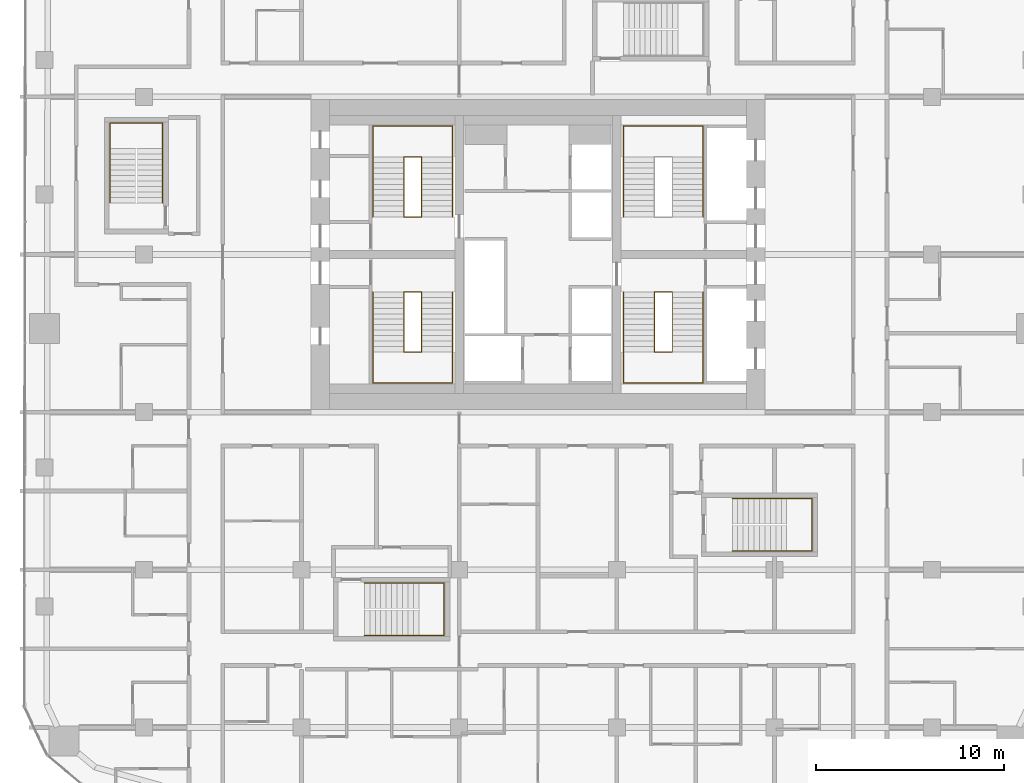
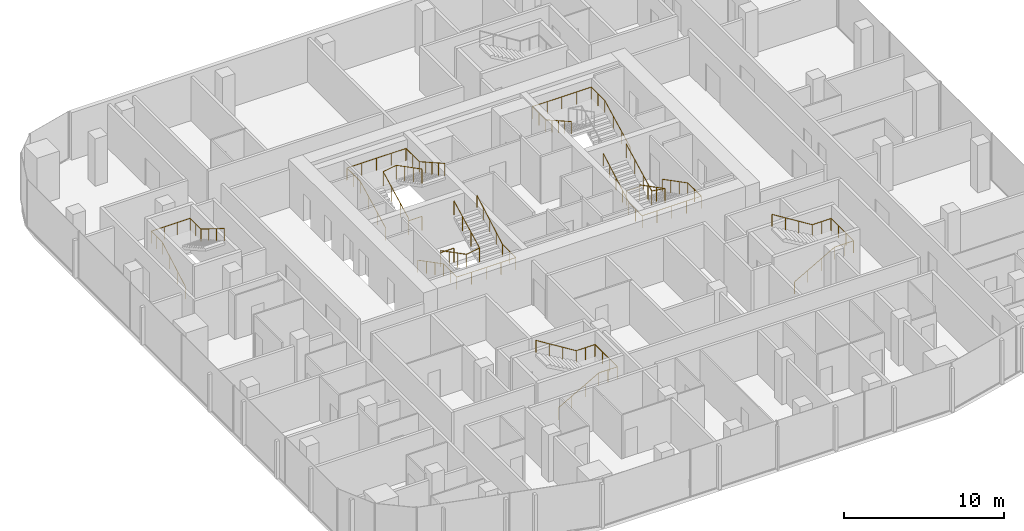
# One storey, part 22 of 23: 10 railings.
"""IFC4 building model written with IfcOpenShell, lengths in metres."""

from ifc_helpers import new_model, si_unit, direction, frame, origin, origin_2d, place, context, subcontext, project, spatial, circle, extrude, material, type_object, element, save


model = new_model("IFC4")

# Units and contexts
model_context = context("Model", 3, precision=1e-05, world=origin(), true_north=direction((0.0, 1.0)))
body_context = subcontext(model_context, "Body", "Model", "MODEL_VIEW")
ifc_project = project(units=[si_unit("LENGTHUNIT", "METRE"), si_unit("AREAUNIT", "SQUARE_METRE"), si_unit("VOLUMEUNIT", "CUBIC_METRE"), si_unit("PLANEANGLEUNIT", "RADIAN"), si_unit("MASSUNIT", "GRAM", prefix="KILO")], contexts=[model_context])

# Site, building, storey
site_placement = place(None, origin())
site = spatial("IfcSite", under=ifc_project, at=site_placement, CompositionType="ELEMENT")
building_placement = place(site_placement, origin())
building = spatial("IfcBuilding", under=site, at=building_placement, Name="Marenta Gate Hotel Tower", CompositionType="ELEMENT")
storey_placement = place(building_placement, frame((0.0, 0.0, 148.10009765625)))
storey = spatial("IfcBuildingStorey", under=building, at=storey_placement, Name="L34", CompositionType="ELEMENT", Elevation=148.10009765625)

# Railings
ifc_material_1 = material(Name="Stainless steel", Category="steel")
railing_type_1 = type_object("IfcRailingType", Name="Core stair handrail 950", PredefinedType="HANDRAIL", material=ifc_material_1)
railing_1_placement = place(storey_placement, frame((-8.800048828125, 6.39990234375, 0.14990234375)))
element("IfcRailing", 1, at=railing_1_placement, inside=storey, type_object=railing_type_1, Name="HR-950 L34-KR-ST1-1", PredefinedType="HANDRAIL", context=body_context, shape_type="SweptSolid", body=[
    extrude(circle(Radius=0.02392578125, at=origin_2d()), frame((0.0, 0.0, 0.92578125), z_axis=(0.0, -0.888225295554, 0.459408123936), x_axis=(1.0, 0.0, 0.0)), (0.0, 0.0, 1.0), 3.59130859375),
    extrude(circle(Radius=0.02392578125, at=origin_2d()), frame((0.0, -3.18994140625, 2.57568359375), z_axis=(0.0, -1.0, 0.0), x_axis=(1.0, 0.0, 0.0)), (0.0, 0.0, 1.0), 1.659912109375),
    extrude(circle(Radius=0.02392578125, at=origin_2d()), frame((0.0, -4.849853515625, 2.57568359375), z_axis=(1.0, 0.0, 0.0), x_axis=(0.0, 1.0, 0.0)), (0.0, 0.0, 1.0), 4.25),
    extrude(circle(Radius=0.02392578125, at=origin_2d()), frame((4.25, -4.849853515625, 2.57568359375), z_axis=(0.0, 1.0, 0.0), x_axis=(-1.0, 0.0, 0.0)), (0.0, 0.0, 1.0), 1.659912109375),
    extrude(circle(Radius=0.02392578125, at=origin_2d()), frame((4.25, -3.18994140625, 2.57568359375), z_axis=(0.0, 0.87090897868, 0.491444351738), x_axis=(-1.0, 0.0, 0.0)), (0.0, 0.0, 1.0), 3.662841796875),
    extrude(circle(Radius=0.02099609375, at=origin_2d()), origin(), (0.0, 0.0, 1.0), 0.90185546875),
    extrude(circle(Radius=0.02099609375, at=origin_2d()), frame((0.0, -1.063232421875, 0.550048828125)), (0.0, 0.0, 1.0), 0.90185546875),
    extrude(circle(Radius=0.02099609375, at=origin_2d()), frame((0.0, -2.126708984375, 1.099853515625)), (0.0, 0.0, 1.0), 0.90185546875),
    extrude(circle(Radius=0.02099609375, at=origin_2d()), frame((0.0, -3.18994140625, 1.64990234375)), (0.0, 0.0, 1.0), 0.90185546875),
    extrude(circle(Radius=0.02099609375, at=origin_2d()), frame((0.0, -4.02001953125, 1.64990234375)), (0.0, 0.0, 1.0), 0.90185546875),
    extrude(circle(Radius=0.02099609375, at=origin_2d()), frame((0.0, -4.849853515625, 1.64990234375)), (0.0, 0.0, 1.0), 0.90185546875),
    extrude(circle(Radius=0.02099609375, at=origin_2d()), frame((1.0625, -4.849853515625, 1.64990234375)), (0.0, 0.0, 1.0), 0.90185546875),
    extrude(circle(Radius=0.02099609375, at=origin_2d()), frame((2.125, -4.849853515625, 1.64990234375)), (0.0, 0.0, 1.0), 0.90185546875),
    extrude(circle(Radius=0.02099609375, at=origin_2d()), frame((3.1875, -4.849853515625, 1.64990234375)), (0.0, 0.0, 1.0), 0.90185546875),
    extrude(circle(Radius=0.02099609375, at=origin_2d()), frame((4.25, -4.849853515625, 1.64990234375)), (0.0, 0.0, 1.0), 0.90185546875),
    extrude(circle(Radius=0.02099609375, at=origin_2d()), frame((4.25, -4.02001953125, 1.64990234375)), (0.0, 0.0, 1.0), 0.90185546875),
    extrude(circle(Radius=0.02099609375, at=origin_2d()), frame((4.25, -3.18994140625, 1.64990234375)), (0.0, 0.0, 1.0), 0.90185546875),
    extrude(circle(Radius=0.02099609375, at=origin_2d()), frame((4.25, -2.392578125, 2.099853515625)), (0.0, 0.0, 1.0), 0.90185546875),
    extrude(circle(Radius=0.02099609375, at=origin_2d()), frame((4.25, -1.594970703125, 2.5498046875)), (0.0, 0.0, 1.0), 0.90185546875),
    extrude(circle(Radius=0.02099609375, at=origin_2d()), frame((4.25, -0.79736328125, 3.0)), (0.0, 0.0, 1.0), 0.90185546875),
    extrude(circle(Radius=0.02099609375, at=origin_2d()), frame((4.25, 0.0, 3.449951171875)), (0.0, 0.0, 1.0), 0.90185546875),
])
railing_2_placement = place(storey_placement, frame((-8.800048828125, 10.39990234375, 0.14990234375)))
element("IfcRailing", 2, at=railing_2_placement, inside=storey, type_object=railing_type_1, Name="HR-950 L34-KR-ST2-1", PredefinedType="HANDRAIL", context=body_context, shape_type="SweptSolid", body=[
    extrude(circle(Radius=0.02392578125, at=origin_2d()), frame((0.0, 0.0, 0.92578125), z_axis=(0.0, 0.888239641807, 0.459380385653), x_axis=(-1.0, 0.0, 0.0)), (0.0, 0.0, 1.0), 3.591552734375),
    extrude(circle(Radius=0.02392578125, at=origin_2d()), frame((0.0, 3.190185546875, 2.57568359375), z_axis=(0.0, 1.0, 0.0), x_axis=(-1.0, 0.0, 0.0)), (0.0, 0.0, 1.0), 1.659912109375),
    extrude(circle(Radius=0.02392578125, at=origin_2d()), frame((0.0, 4.85009765625, 2.57568359375), z_axis=(1.0, 0.0, 0.0), x_axis=(0.0, 1.0, 0.0)), (0.0, 0.0, 1.0), 4.25),
    extrude(circle(Radius=0.02392578125, at=origin_2d()), frame((4.25, 4.85009765625, 2.57568359375), z_axis=(0.0, -1.0, 0.0), x_axis=(1.0, 0.0, 0.0)), (0.0, 0.0, 1.0), 1.659912109375),
    extrude(circle(Radius=0.02392578125, at=origin_2d()), frame((4.25, 3.190185546875, 2.57568359375), z_axis=(0.0, -0.870925075533, 0.491415824742), x_axis=(1.0, 0.0, 0.0)), (0.0, 0.0, 1.0), 3.6630859375),
    extrude(circle(Radius=0.02099609375, at=origin_2d()), origin(), (0.0, 0.0, 1.0), 0.90185546875),
    extrude(circle(Radius=0.02099609375, at=origin_2d()), frame((0.0, 1.0634765625, 0.550048828125)), (0.0, 0.0, 1.0), 0.90185546875),
    extrude(circle(Radius=0.02099609375, at=origin_2d()), frame((0.0, 2.126708984375, 1.099853515625)), (0.0, 0.0, 1.0), 0.90185546875),
    extrude(circle(Radius=0.02099609375, at=origin_2d()), frame((0.0, 3.190185546875, 1.64990234375)), (0.0, 0.0, 1.0), 0.90185546875),
    extrude(circle(Radius=0.02099609375, at=origin_2d()), frame((0.0, 4.02001953125, 1.64990234375)), (0.0, 0.0, 1.0), 0.90185546875),
    extrude(circle(Radius=0.02099609375, at=origin_2d()), frame((0.0, 4.85009765625, 1.64990234375)), (0.0, 0.0, 1.0), 0.90185546875),
    extrude(circle(Radius=0.02099609375, at=origin_2d()), frame((1.0625, 4.85009765625, 1.64990234375)), (0.0, 0.0, 1.0), 0.90185546875),
    extrude(circle(Radius=0.02099609375, at=origin_2d()), frame((2.125, 4.85009765625, 1.64990234375)), (0.0, 0.0, 1.0), 0.90185546875),
    extrude(circle(Radius=0.02099609375, at=origin_2d()), frame((3.1875, 4.85009765625, 1.64990234375)), (0.0, 0.0, 1.0), 0.90185546875),
    extrude(circle(Radius=0.02099609375, at=origin_2d()), frame((4.25, 4.85009765625, 1.64990234375)), (0.0, 0.0, 1.0), 0.90185546875),
    extrude(circle(Radius=0.02099609375, at=origin_2d()), frame((4.25, 4.02001953125, 1.64990234375)), (0.0, 0.0, 1.0), 0.90185546875),
    extrude(circle(Radius=0.02099609375, at=origin_2d()), frame((4.25, 3.190185546875, 1.64990234375)), (0.0, 0.0, 1.0), 0.90185546875),
    extrude(circle(Radius=0.02099609375, at=origin_2d()), frame((4.25, 2.392578125, 2.099853515625)), (0.0, 0.0, 1.0), 0.90185546875),
    extrude(circle(Radius=0.02099609375, at=origin_2d()), frame((4.25, 1.59521484375, 2.5498046875)), (0.0, 0.0, 1.0), 0.90185546875),
    extrude(circle(Radius=0.02099609375, at=origin_2d()), frame((4.25, 0.797607421875, 3.0)), (0.0, 0.0, 1.0), 0.90185546875),
    extrude(circle(Radius=0.02099609375, at=origin_2d()), frame((4.25, 0.0, 3.449951171875)), (0.0, 0.0, 1.0), 0.90185546875),
])
railing_3_placement = place(storey_placement, frame((8.800048828125, 6.39990234375, 0.14990234375)))
element("IfcRailing", 3, at=railing_3_placement, inside=storey, type_object=railing_type_1, Name="HR-950 L34-KR-ST3-1", PredefinedType="HANDRAIL", context=body_context, shape_type="SweptSolid", body=[
    extrude(circle(Radius=0.02392578125, at=origin_2d()), frame((0.0, 0.0, 0.92578125), z_axis=(0.0, -0.888225295554, 0.459408123936), x_axis=(1.0, 0.0, 0.0)), (0.0, 0.0, 1.0), 3.59130859375),
    extrude(circle(Radius=0.02392578125, at=origin_2d()), frame((0.0, -3.18994140625, 2.57568359375), z_axis=(0.0, -1.0, 0.0), x_axis=(1.0, 0.0, 0.0)), (0.0, 0.0, 1.0), 1.659912109375),
    extrude(circle(Radius=0.02392578125, at=origin_2d()), frame((0.0, -4.849853515625, 2.57568359375), z_axis=(-1.0, 0.0, 0.0), x_axis=(0.0, -1.0, 0.0)), (0.0, 0.0, 1.0), 4.25),
    extrude(circle(Radius=0.02392578125, at=origin_2d()), frame((-4.25, -4.849853515625, 2.57568359375), z_axis=(0.0, 1.0, 0.0), x_axis=(-1.0, 0.0, 0.0)), (0.0, 0.0, 1.0), 1.659912109375),
    extrude(circle(Radius=0.02392578125, at=origin_2d()), frame((-4.25, -3.18994140625, 2.57568359375), z_axis=(0.0, 0.87090897868, 0.491444351738), x_axis=(-1.0, 0.0, 0.0)), (0.0, 0.0, 1.0), 3.662841796875),
    extrude(circle(Radius=0.02099609375, at=origin_2d()), origin(), (0.0, 0.0, 1.0), 0.90185546875),
    extrude(circle(Radius=0.02099609375, at=origin_2d()), frame((0.0, -1.063232421875, 0.550048828125)), (0.0, 0.0, 1.0), 0.90185546875),
    extrude(circle(Radius=0.02099609375, at=origin_2d()), frame((0.0, -2.126708984375, 1.099853515625)), (0.0, 0.0, 1.0), 0.90185546875),
    extrude(circle(Radius=0.02099609375, at=origin_2d()), frame((0.0, -3.18994140625, 1.64990234375)), (0.0, 0.0, 1.0), 0.90185546875),
    extrude(circle(Radius=0.02099609375, at=origin_2d()), frame((0.0, -4.02001953125, 1.64990234375)), (0.0, 0.0, 1.0), 0.90185546875),
    extrude(circle(Radius=0.02099609375, at=origin_2d()), frame((0.0, -4.849853515625, 1.64990234375)), (0.0, 0.0, 1.0), 0.90185546875),
    extrude(circle(Radius=0.02099609375, at=origin_2d()), frame((-1.0625, -4.849853515625, 1.64990234375)), (0.0, 0.0, 1.0), 0.90185546875),
    extrude(circle(Radius=0.02099609375, at=origin_2d()), frame((-2.125, -4.849853515625, 1.64990234375)), (0.0, 0.0, 1.0), 0.90185546875),
    extrude(circle(Radius=0.02099609375, at=origin_2d()), frame((-3.1875, -4.849853515625, 1.64990234375)), (0.0, 0.0, 1.0), 0.90185546875),
    extrude(circle(Radius=0.02099609375, at=origin_2d()), frame((-4.25, -4.849853515625, 1.64990234375)), (0.0, 0.0, 1.0), 0.90185546875),
    extrude(circle(Radius=0.02099609375, at=origin_2d()), frame((-4.25, -4.02001953125, 1.64990234375)), (0.0, 0.0, 1.0), 0.90185546875),
    extrude(circle(Radius=0.02099609375, at=origin_2d()), frame((-4.25, -3.18994140625, 1.64990234375)), (0.0, 0.0, 1.0), 0.90185546875),
    extrude(circle(Radius=0.02099609375, at=origin_2d()), frame((-4.25, -2.392578125, 2.099853515625)), (0.0, 0.0, 1.0), 0.90185546875),
    extrude(circle(Radius=0.02099609375, at=origin_2d()), frame((-4.25, -1.594970703125, 2.5498046875)), (0.0, 0.0, 1.0), 0.90185546875),
    extrude(circle(Radius=0.02099609375, at=origin_2d()), frame((-4.25, -0.79736328125, 3.0)), (0.0, 0.0, 1.0), 0.90185546875),
    extrude(circle(Radius=0.02099609375, at=origin_2d()), frame((-4.25, 0.0, 3.449951171875)), (0.0, 0.0, 1.0), 0.90185546875),
])
railing_4_placement = place(storey_placement, frame((8.800048828125, 10.39990234375, 0.14990234375)))
element("IfcRailing", 4, at=railing_4_placement, inside=storey, type_object=railing_type_1, Name="HR-950 L34-KR-ST4-1", PredefinedType="HANDRAIL", context=body_context, shape_type="SweptSolid", body=[
    extrude(circle(Radius=0.02392578125, at=origin_2d()), frame((0.0, 0.0, 0.92578125), z_axis=(0.0, 0.888239641807, 0.459380385653), x_axis=(-1.0, 0.0, 0.0)), (0.0, 0.0, 1.0), 3.591552734375),
    extrude(circle(Radius=0.02392578125, at=origin_2d()), frame((0.0, 3.190185546875, 2.57568359375), z_axis=(0.0, 1.0, 0.0), x_axis=(-1.0, 0.0, 0.0)), (0.0, 0.0, 1.0), 1.659912109375),
    extrude(circle(Radius=0.02392578125, at=origin_2d()), frame((0.0, 4.85009765625, 2.57568359375), z_axis=(-1.0, 0.0, 0.0), x_axis=(0.0, -1.0, 0.0)), (0.0, 0.0, 1.0), 4.25),
    extrude(circle(Radius=0.02392578125, at=origin_2d()), frame((-4.25, 4.85009765625, 2.57568359375), z_axis=(0.0, -1.0, 0.0), x_axis=(1.0, 0.0, 0.0)), (0.0, 0.0, 1.0), 1.659912109375),
    extrude(circle(Radius=0.02392578125, at=origin_2d()), frame((-4.25, 3.190185546875, 2.57568359375), z_axis=(0.0, -0.870925075533, 0.491415824742), x_axis=(1.0, 0.0, 0.0)), (0.0, 0.0, 1.0), 3.6630859375),
    extrude(circle(Radius=0.02099609375, at=origin_2d()), origin(), (0.0, 0.0, 1.0), 0.90185546875),
    extrude(circle(Radius=0.02099609375, at=origin_2d()), frame((0.0, 1.0634765625, 0.550048828125)), (0.0, 0.0, 1.0), 0.90185546875),
    extrude(circle(Radius=0.02099609375, at=origin_2d()), frame((0.0, 2.126708984375, 1.099853515625)), (0.0, 0.0, 1.0), 0.90185546875),
    extrude(circle(Radius=0.02099609375, at=origin_2d()), frame((0.0, 3.190185546875, 1.64990234375)), (0.0, 0.0, 1.0), 0.90185546875),
    extrude(circle(Radius=0.02099609375, at=origin_2d()), frame((0.0, 4.02001953125, 1.64990234375)), (0.0, 0.0, 1.0), 0.90185546875),
    extrude(circle(Radius=0.02099609375, at=origin_2d()), frame((0.0, 4.85009765625, 1.64990234375)), (0.0, 0.0, 1.0), 0.90185546875),
    extrude(circle(Radius=0.02099609375, at=origin_2d()), frame((-1.0625, 4.85009765625, 1.64990234375)), (0.0, 0.0, 1.0), 0.90185546875),
    extrude(circle(Radius=0.02099609375, at=origin_2d()), frame((-2.125, 4.85009765625, 1.64990234375)), (0.0, 0.0, 1.0), 0.90185546875),
    extrude(circle(Radius=0.02099609375, at=origin_2d()), frame((-3.1875, 4.85009765625, 1.64990234375)), (0.0, 0.0, 1.0), 0.90185546875),
    extrude(circle(Radius=0.02099609375, at=origin_2d()), frame((-4.25, 4.85009765625, 1.64990234375)), (0.0, 0.0, 1.0), 0.90185546875),
    extrude(circle(Radius=0.02099609375, at=origin_2d()), frame((-4.25, 4.02001953125, 1.64990234375)), (0.0, 0.0, 1.0), 0.90185546875),
    extrude(circle(Radius=0.02099609375, at=origin_2d()), frame((-4.25, 3.190185546875, 1.64990234375)), (0.0, 0.0, 1.0), 0.90185546875),
    extrude(circle(Radius=0.02099609375, at=origin_2d()), frame((-4.25, 2.392578125, 2.099853515625)), (0.0, 0.0, 1.0), 0.90185546875),
    extrude(circle(Radius=0.02099609375, at=origin_2d()), frame((-4.25, 1.59521484375, 2.5498046875)), (0.0, 0.0, 1.0), 0.90185546875),
    extrude(circle(Radius=0.02099609375, at=origin_2d()), frame((-4.25, 0.797607421875, 3.0)), (0.0, 0.0, 1.0), 0.90185546875),
    extrude(circle(Radius=0.02099609375, at=origin_2d()), frame((-4.25, 0.0, 3.449951171875)), (0.0, 0.0, 1.0), 0.90185546875),
])
railing_5_placement = place(storey_placement, frame((-22.800048828125, 11.14990234375, 0.16357421875)))
element("IfcRailing", 5, at=railing_5_placement, inside=storey, type_object=railing_type_1, Name="HR-950 L34-RS-Z1-3-KR-1", PredefinedType="HANDRAIL", context=body_context, shape_type="SweptSolid", body=[
    extrude(circle(Radius=0.02392578125, at=origin_2d()), frame((0.0, 0.0, 0.92578125), z_axis=(0.0, 0.870946286338, 0.49137823142), x_axis=(-1.0, 0.0, 0.0)), (0.0, 0.0, 1.0), 3.329833984375),
    extrude(circle(Radius=0.02392578125, at=origin_2d()), frame((0.0, 2.900146484375, 2.56201171875), z_axis=(0.0, 1.0, 0.0), x_axis=(-1.0, 0.0, 0.0)), (0.0, 0.0, 1.0), 1.349853515625),
    extrude(circle(Radius=0.02392578125, at=origin_2d()), frame((0.0, 4.25, 2.56201171875), z_axis=(1.0, 0.0, 0.0), x_axis=(0.0, 1.0, 0.0)), (0.0, 0.0, 1.0), 2.800048828125),
    extrude(circle(Radius=0.02392578125, at=origin_2d()), frame((2.800048828125, 4.25, 2.56201171875), z_axis=(0.0, -1.0, 0.0), x_axis=(1.0, 0.0, 0.0)), (0.0, 0.0, 1.0), 1.349853515625),
    extrude(circle(Radius=0.02392578125, at=origin_2d()), frame((2.800048828125, 2.900146484375, 2.56201171875), z_axis=(0.0, -0.849645691689, 0.527353959494), x_axis=(1.0, 0.0, 0.0)), (0.0, 0.0, 1.0), 3.413330078125),
    extrude(circle(Radius=0.02099609375, at=origin_2d()), origin(), (0.0, 0.0, 1.0), 0.90185546875),
    extrude(circle(Radius=0.02099609375, at=origin_2d()), frame((0.0, 0.966796875, 0.54541015625)), (0.0, 0.0, 1.0), 0.90185546875),
    extrude(circle(Radius=0.02099609375, at=origin_2d()), frame((0.0, 1.933349609375, 1.0908203125)), (0.0, 0.0, 1.0), 0.90185546875),
    extrude(circle(Radius=0.02099609375, at=origin_2d()), frame((0.0, 2.900146484375, 1.63623046875)), (0.0, 0.0, 1.0), 0.90185546875),
    extrude(circle(Radius=0.02099609375, at=origin_2d()), frame((0.0, 3.5751953125, 1.63623046875)), (0.0, 0.0, 1.0), 0.90185546875),
    extrude(circle(Radius=0.02099609375, at=origin_2d()), frame((0.0, 4.25, 1.63623046875)), (0.0, 0.0, 1.0), 0.90185546875),
    extrude(circle(Radius=0.02099609375, at=origin_2d()), frame((0.933349609375, 4.25, 1.63623046875)), (0.0, 0.0, 1.0), 0.90185546875),
    extrude(circle(Radius=0.02099609375, at=origin_2d()), frame((1.86669921875, 4.25, 1.63623046875)), (0.0, 0.0, 1.0), 0.90185546875),
    extrude(circle(Radius=0.02099609375, at=origin_2d()), frame((2.800048828125, 4.25, 1.63623046875)), (0.0, 0.0, 1.0), 0.90185546875),
    extrude(circle(Radius=0.02099609375, at=origin_2d()), frame((2.800048828125, 3.5751953125, 1.63623046875)), (0.0, 0.0, 1.0), 0.90185546875),
    extrude(circle(Radius=0.02099609375, at=origin_2d()), frame((2.800048828125, 2.900146484375, 1.63623046875)), (0.0, 0.0, 1.0), 0.90185546875),
    extrude(circle(Radius=0.02099609375, at=origin_2d()), frame((2.800048828125, 1.933349609375, 2.236328125)), (0.0, 0.0, 1.0), 0.90185546875),
    extrude(circle(Radius=0.02099609375, at=origin_2d()), frame((2.800048828125, 0.966796875, 2.836181640625)), (0.0, 0.0, 1.0), 0.90185546875),
    extrude(circle(Radius=0.02099609375, at=origin_2d()), frame((2.800048828125, 0.0, 3.436279296875)), (0.0, 0.0, 1.0), 0.90185546875),
])
railing_6_placement = place(storey_placement, frame((-9.25, -11.89990234375, 0.16357421875)))
element("IfcRailing", 6, at=railing_6_placement, inside=storey, type_object=railing_type_1, Name="HR-950 L34-RS-Z2-1-KR-1", PredefinedType="HANDRAIL", context=body_context, shape_type="SweptSolid", body=[
    extrude(circle(Radius=0.02392578125, at=origin_2d()), frame((0.0, 0.0, 0.92578125), z_axis=(0.870928581787, 0.0, 0.491409610636), x_axis=(0.0, 1.0, 0.0)), (0.0, 0.0, 1.0), 3.32958984375),
    extrude(circle(Radius=0.02392578125, at=origin_2d()), frame((2.89990234375, 0.0, 2.56201171875), z_axis=(1.0, 0.0, 0.0), x_axis=(0.0, 1.0, 0.0)), (0.0, 0.0, 1.0), 1.35009765625),
    extrude(circle(Radius=0.02392578125, at=origin_2d()), frame((4.25, 0.0, 2.56201171875), z_axis=(0.0, 1.0, 0.0), x_axis=(-1.0, 0.0, 0.0)), (0.0, 0.0, 1.0), 2.7998046875),
    extrude(circle(Radius=0.02392578125, at=origin_2d()), frame((4.25, 2.7998046875, 2.56201171875), z_axis=(-1.0, 0.0, 0.0), x_axis=(0.0, -1.0, 0.0)), (0.0, 0.0, 1.0), 1.35009765625),
    extrude(circle(Radius=0.02392578125, at=origin_2d()), frame((2.89990234375, 2.7998046875, 2.56201171875), z_axis=(-0.849625798611, 0.0, 0.527386008853), x_axis=(0.0, -1.0, 0.0)), (0.0, 0.0, 1.0), 3.4130859375),
    extrude(circle(Radius=0.02099609375, at=origin_2d()), origin(), (0.0, 0.0, 1.0), 0.90185546875),
    extrude(circle(Radius=0.02099609375, at=origin_2d()), frame((0.966552734375, 0.0, 0.54541015625)), (0.0, 0.0, 1.0), 0.90185546875),
    extrude(circle(Radius=0.02099609375, at=origin_2d()), frame((1.933349609375, 0.0, 1.0908203125)), (0.0, 0.0, 1.0), 0.90185546875),
    extrude(circle(Radius=0.02099609375, at=origin_2d()), frame((2.89990234375, 0.0, 1.63623046875)), (0.0, 0.0, 1.0), 0.90185546875),
    extrude(circle(Radius=0.02099609375, at=origin_2d()), frame((3.574951171875, 0.0, 1.63623046875)), (0.0, 0.0, 1.0), 0.90185546875),
    extrude(circle(Radius=0.02099609375, at=origin_2d()), frame((4.25, 0.0, 1.63623046875)), (0.0, 0.0, 1.0), 0.90185546875),
    extrude(circle(Radius=0.02099609375, at=origin_2d()), frame((4.25, 0.933349609375, 1.63623046875)), (0.0, 0.0, 1.0), 0.90185546875),
    extrude(circle(Radius=0.02099609375, at=origin_2d()), frame((4.25, 1.866455078125, 1.63623046875)), (0.0, 0.0, 1.0), 0.90185546875),
    extrude(circle(Radius=0.02099609375, at=origin_2d()), frame((4.25, 2.7998046875, 1.63623046875)), (0.0, 0.0, 1.0), 0.90185546875),
    extrude(circle(Radius=0.02099609375, at=origin_2d()), frame((3.574951171875, 2.7998046875, 1.63623046875)), (0.0, 0.0, 1.0), 0.90185546875),
    extrude(circle(Radius=0.02099609375, at=origin_2d()), frame((2.89990234375, 2.7998046875, 1.63623046875)), (0.0, 0.0, 1.0), 0.90185546875),
    extrude(circle(Radius=0.02099609375, at=origin_2d()), frame((1.933349609375, 2.7998046875, 2.236328125)), (0.0, 0.0, 1.0), 0.90185546875),
    extrude(circle(Radius=0.02099609375, at=origin_2d()), frame((0.966552734375, 2.7998046875, 2.836181640625)), (0.0, 0.0, 1.0), 0.90185546875),
    extrude(circle(Radius=0.02099609375, at=origin_2d()), frame((0.0, 2.7998046875, 3.436279296875)), (0.0, 0.0, 1.0), 0.90185546875),
])
railing_7_placement = place(storey_placement, frame((10.35009765625, -7.39990234375, 0.16357421875)))
element("IfcRailing", 7, at=railing_7_placement, inside=storey, type_object=railing_type_1, Name="HR-950 L34-RS-Z2-2-KR-1", PredefinedType="HANDRAIL", context=body_context, shape_type="SweptSolid", body=[
    extrude(circle(Radius=0.02392578125, at=origin_2d()), frame((0.0, 0.0, 0.92578125), z_axis=(0.870928581787, 0.0, 0.491409610636), x_axis=(0.0, 1.0, 0.0)), (0.0, 0.0, 1.0), 3.32958984375),
    extrude(circle(Radius=0.02392578125, at=origin_2d()), frame((2.89990234375, 0.0, 2.56201171875), z_axis=(1.0, 0.0, 0.0), x_axis=(0.0, 1.0, 0.0)), (0.0, 0.0, 1.0), 1.35009765625),
    extrude(circle(Radius=0.02392578125, at=origin_2d()), frame((4.25, 0.0, 2.56201171875), z_axis=(0.0, 1.0, 0.0), x_axis=(-1.0, 0.0, 0.0)), (0.0, 0.0, 1.0), 2.7998046875),
    extrude(circle(Radius=0.02392578125, at=origin_2d()), frame((4.25, 2.7998046875, 2.56201171875), z_axis=(-1.0, 0.0, 0.0), x_axis=(0.0, -1.0, 0.0)), (0.0, 0.0, 1.0), 1.35009765625),
    extrude(circle(Radius=0.02392578125, at=origin_2d()), frame((2.89990234375, 2.7998046875, 2.56201171875), z_axis=(-0.849625798611, 0.0, 0.527386008853), x_axis=(0.0, -1.0, 0.0)), (0.0, 0.0, 1.0), 3.4130859375),
    extrude(circle(Radius=0.02099609375, at=origin_2d()), origin(), (0.0, 0.0, 1.0), 0.90185546875),
    extrude(circle(Radius=0.02099609375, at=origin_2d()), frame((0.966552734375, 0.0, 0.54541015625)), (0.0, 0.0, 1.0), 0.90185546875),
    extrude(circle(Radius=0.02099609375, at=origin_2d()), frame((1.933349609375, 0.0, 1.0908203125)), (0.0, 0.0, 1.0), 0.90185546875),
    extrude(circle(Radius=0.02099609375, at=origin_2d()), frame((2.89990234375, 0.0, 1.63623046875)), (0.0, 0.0, 1.0), 0.90185546875),
    extrude(circle(Radius=0.02099609375, at=origin_2d()), frame((3.574951171875, 0.0, 1.63623046875)), (0.0, 0.0, 1.0), 0.90185546875),
    extrude(circle(Radius=0.02099609375, at=origin_2d()), frame((4.25, 0.0, 1.63623046875)), (0.0, 0.0, 1.0), 0.90185546875),
    extrude(circle(Radius=0.02099609375, at=origin_2d()), frame((4.25, 0.933349609375, 1.63623046875)), (0.0, 0.0, 1.0), 0.90185546875),
    extrude(circle(Radius=0.02099609375, at=origin_2d()), frame((4.25, 1.866455078125, 1.63623046875)), (0.0, 0.0, 1.0), 0.90185546875),
    extrude(circle(Radius=0.02099609375, at=origin_2d()), frame((4.25, 2.7998046875, 1.63623046875)), (0.0, 0.0, 1.0), 0.90185546875),
    extrude(circle(Radius=0.02099609375, at=origin_2d()), frame((3.574951171875, 2.7998046875, 1.63623046875)), (0.0, 0.0, 1.0), 0.90185546875),
    extrude(circle(Radius=0.02099609375, at=origin_2d()), frame((2.89990234375, 2.7998046875, 1.63623046875)), (0.0, 0.0, 1.0), 0.90185546875),
    extrude(circle(Radius=0.02099609375, at=origin_2d()), frame((1.933349609375, 2.7998046875, 2.236328125)), (0.0, 0.0, 1.0), 0.90185546875),
    extrude(circle(Radius=0.02099609375, at=origin_2d()), frame((0.966552734375, 2.7998046875, 2.836181640625)), (0.0, 0.0, 1.0), 0.90185546875),
    extrude(circle(Radius=0.02099609375, at=origin_2d()), frame((0.0, 2.7998046875, 3.436279296875)), (0.0, 0.0, 1.0), 0.90185546875),
])
ifc_material_2 = material(Name="Stainless steel", Category="steel")
railing_type_2 = type_object("IfcRailingType", Name="Core stair well guard 1100", PredefinedType="GUARDRAIL", material=ifc_material_2)
railing_8_placement = place(storey_placement, frame((-6.199951171875, 6.39990234375, 0.0)))
element("IfcRailing", 8, at=railing_8_placement, inside=storey, type_object=railing_type_2, Name="GR-1100 L34-KR-ST1-2", PredefinedType="GUARDRAIL", context=body_context, shape_type="SweptSolid", body=[
    extrude(circle(Radius=0.02392578125, at=origin_2d()), frame((0.0, 0.0, 1.076171875), z_axis=(-1.0, 0.0, 0.0), x_axis=(0.0, -1.0, 0.0)), (0.0, 0.0, 1.0), 0.949951171875),
    extrude(circle(Radius=0.02392578125, at=origin_2d()), frame((-0.949951171875, 0.0, 1.076171875), z_axis=(0.0, 0.0, 1.0), x_axis=(1.0, 0.0, 0.0)), (0.0, 0.0, 1.0), 0.14990234375),
    extrude(circle(Radius=0.02392578125, at=origin_2d()), frame((-0.949951171875, 0.0, 1.22607421875), z_axis=(0.0, -0.888225295554, 0.459408123936), x_axis=(1.0, 0.0, 0.0)), (0.0, 0.0, 1.0), 3.59130859375),
    extrude(circle(Radius=0.02392578125, at=origin_2d()), frame((-0.949951171875, -3.18994140625, 2.8759765625), z_axis=(0.987738253826, 0.0, 0.156118999255), x_axis=(0.0, 1.0, 0.0)), (0.0, 0.0, 1.0), 0.961669921875),
    extrude(circle(Radius=0.02392578125, at=origin_2d()), frame((0.0, -3.18994140625, 3.02587890625), z_axis=(0.0, 0.888225295554, 0.459408123936), x_axis=(-1.0, 0.0, 0.0)), (0.0, 0.0, 1.0), 3.59130859375),
    extrude(circle(Radius=0.02099609375, at=origin_2d()), origin(), (0.0, 0.0, 1.0), 1.052001953125),
    extrude(circle(Radius=0.02099609375, at=origin_2d()), frame((-0.949951171875, 0.0, 0.0)), (0.0, 0.0, 1.0), 1.052001953125),
    extrude(circle(Radius=0.02099609375, at=origin_2d()), frame((-0.949951171875, 0.0, 0.14990234375)), (0.0, 0.0, 1.0), 1.052001953125),
    extrude(circle(Radius=0.02099609375, at=origin_2d()), frame((-0.949951171875, -1.063232421875, 0.699951171875)), (0.0, 0.0, 1.0), 1.052001953125),
    extrude(circle(Radius=0.02099609375, at=origin_2d()), frame((-0.949951171875, -2.126708984375, 1.249755859375)), (0.0, 0.0, 1.0), 1.052001953125),
    extrude(circle(Radius=0.02099609375, at=origin_2d()), frame((-0.949951171875, -3.18994140625, 1.7998046875)), (0.0, 0.0, 1.0), 1.052001953125),
    extrude(circle(Radius=0.02099609375, at=origin_2d()), frame((0.0, -3.18994140625, 1.949951171875)), (0.0, 0.0, 1.0), 1.052001953125),
    extrude(circle(Radius=0.02099609375, at=origin_2d()), frame((0.0, -2.126708984375, 2.5)), (0.0, 0.0, 1.0), 1.052001953125),
    extrude(circle(Radius=0.02099609375, at=origin_2d()), frame((0.0, -1.063232421875, 3.0498046875)), (0.0, 0.0, 1.0), 1.052001953125),
    extrude(circle(Radius=0.02099609375, at=origin_2d()), frame((0.0, 0.0, 3.599853515625)), (0.0, 0.0, 1.0), 1.052001953125),
])
railing_9_placement = place(storey_placement, frame((-6.199951171875, 10.39990234375, 0.0)))
element("IfcRailing", 9, at=railing_9_placement, inside=storey, type_object=railing_type_2, Name="GR-1100 L34-KR-ST2-2", PredefinedType="GUARDRAIL", context=body_context, shape_type="SweptSolid", body=[
    extrude(circle(Radius=0.02392578125, at=origin_2d()), frame((0.0, 0.0, 1.076171875), z_axis=(-1.0, 0.0, 0.0), x_axis=(0.0, -1.0, 0.0)), (0.0, 0.0, 1.0), 0.949951171875),
    extrude(circle(Radius=0.02392578125, at=origin_2d()), frame((-0.949951171875, 0.0, 1.076171875), z_axis=(0.0, 0.0, 1.0), x_axis=(1.0, 0.0, 0.0)), (0.0, 0.0, 1.0), 0.14990234375),
    extrude(circle(Radius=0.02392578125, at=origin_2d()), frame((-0.949951171875, 0.0, 1.22607421875), z_axis=(0.0, 0.888239641807, 0.459380385653), x_axis=(-1.0, 0.0, 0.0)), (0.0, 0.0, 1.0), 3.591552734375),
    extrude(circle(Radius=0.02392578125, at=origin_2d()), frame((-0.949951171875, 3.190185546875, 2.8759765625), z_axis=(0.987738253826, 0.0, 0.156118999255), x_axis=(0.0, 1.0, 0.0)), (0.0, 0.0, 1.0), 0.961669921875),
    extrude(circle(Radius=0.02392578125, at=origin_2d()), frame((0.0, 3.190185546875, 3.02587890625), z_axis=(0.0, -0.888239641807, 0.459380385653), x_axis=(1.0, 0.0, 0.0)), (0.0, 0.0, 1.0), 3.591552734375),
    extrude(circle(Radius=0.02099609375, at=origin_2d()), origin(), (0.0, 0.0, 1.0), 1.052001953125),
    extrude(circle(Radius=0.02099609375, at=origin_2d()), frame((-0.949951171875, 0.0, 0.0)), (0.0, 0.0, 1.0), 1.052001953125),
    extrude(circle(Radius=0.02099609375, at=origin_2d()), frame((-0.949951171875, 0.0, 0.14990234375)), (0.0, 0.0, 1.0), 1.052001953125),
    extrude(circle(Radius=0.02099609375, at=origin_2d()), frame((-0.949951171875, 1.0634765625, 0.699951171875)), (0.0, 0.0, 1.0), 1.052001953125),
    extrude(circle(Radius=0.02099609375, at=origin_2d()), frame((-0.949951171875, 2.126708984375, 1.249755859375)), (0.0, 0.0, 1.0), 1.052001953125),
    extrude(circle(Radius=0.02099609375, at=origin_2d()), frame((-0.949951171875, 3.190185546875, 1.7998046875)), (0.0, 0.0, 1.0), 1.052001953125),
    extrude(circle(Radius=0.02099609375, at=origin_2d()), frame((0.0, 3.190185546875, 1.949951171875)), (0.0, 0.0, 1.0), 1.052001953125),
    extrude(circle(Radius=0.02099609375, at=origin_2d()), frame((0.0, 2.126708984375, 2.5)), (0.0, 0.0, 1.0), 1.052001953125),
    extrude(circle(Radius=0.02099609375, at=origin_2d()), frame((0.0, 1.0634765625, 3.0498046875)), (0.0, 0.0, 1.0), 1.052001953125),
    extrude(circle(Radius=0.02099609375, at=origin_2d()), frame((0.0, 0.0, 3.599853515625)), (0.0, 0.0, 1.0), 1.052001953125),
])
railing_10_placement = place(storey_placement, frame((6.199951171875, 6.39990234375, 0.0)))
element("IfcRailing", 10, at=railing_10_placement, inside=storey, type_object=railing_type_2, Name="GR-1100 L34-KR-ST3-2", PredefinedType="GUARDRAIL", context=body_context, shape_type="SweptSolid", body=[
    extrude(circle(Radius=0.02392578125, at=origin_2d()), frame((0.0, 0.0, 1.076171875), z_axis=(1.0, 0.0, 0.0), x_axis=(0.0, 1.0, 0.0)), (0.0, 0.0, 1.0), 0.949951171875),
    extrude(circle(Radius=0.02392578125, at=origin_2d()), frame((0.949951171875, 0.0, 1.076171875), z_axis=(0.0, 0.0, 1.0), x_axis=(1.0, 0.0, 0.0)), (0.0, 0.0, 1.0), 0.14990234375),
    extrude(circle(Radius=0.02392578125, at=origin_2d()), frame((0.949951171875, 0.0, 1.22607421875), z_axis=(0.0, -0.888225295554, 0.459408123936), x_axis=(1.0, 0.0, 0.0)), (0.0, 0.0, 1.0), 3.59130859375),
    extrude(circle(Radius=0.02392578125, at=origin_2d()), frame((0.949951171875, -3.18994140625, 2.8759765625), z_axis=(-0.987738253826, 0.0, 0.156118999255), x_axis=(0.0, -1.0, 0.0)), (0.0, 0.0, 1.0), 0.961669921875),
    extrude(circle(Radius=0.02392578125, at=origin_2d()), frame((0.0, -3.18994140625, 3.02587890625), z_axis=(0.0, 0.888225295554, 0.459408123936), x_axis=(-1.0, 0.0, 0.0)), (0.0, 0.0, 1.0), 3.59130859375),
    extrude(circle(Radius=0.02099609375, at=origin_2d()), origin(), (0.0, 0.0, 1.0), 1.052001953125),
    extrude(circle(Radius=0.02099609375, at=origin_2d()), frame((0.949951171875, 0.0, 0.0)), (0.0, 0.0, 1.0), 1.052001953125),
    extrude(circle(Radius=0.02099609375, at=origin_2d()), frame((0.949951171875, 0.0, 0.14990234375)), (0.0, 0.0, 1.0), 1.052001953125),
    extrude(circle(Radius=0.02099609375, at=origin_2d()), frame((0.949951171875, -1.063232421875, 0.699951171875)), (0.0, 0.0, 1.0), 1.052001953125),
    extrude(circle(Radius=0.02099609375, at=origin_2d()), frame((0.949951171875, -2.126708984375, 1.249755859375)), (0.0, 0.0, 1.0), 1.052001953125),
    extrude(circle(Radius=0.02099609375, at=origin_2d()), frame((0.949951171875, -3.18994140625, 1.7998046875)), (0.0, 0.0, 1.0), 1.052001953125),
    extrude(circle(Radius=0.02099609375, at=origin_2d()), frame((0.0, -3.18994140625, 1.949951171875)), (0.0, 0.0, 1.0), 1.052001953125),
    extrude(circle(Radius=0.02099609375, at=origin_2d()), frame((0.0, -2.126708984375, 2.5)), (0.0, 0.0, 1.0), 1.052001953125),
    extrude(circle(Radius=0.02099609375, at=origin_2d()), frame((0.0, -1.063232421875, 3.0498046875)), (0.0, 0.0, 1.0), 1.052001953125),
    extrude(circle(Radius=0.02099609375, at=origin_2d()), frame((0.0, 0.0, 3.599853515625)), (0.0, 0.0, 1.0), 1.052001953125),
])

save(model, "model.ifc")
